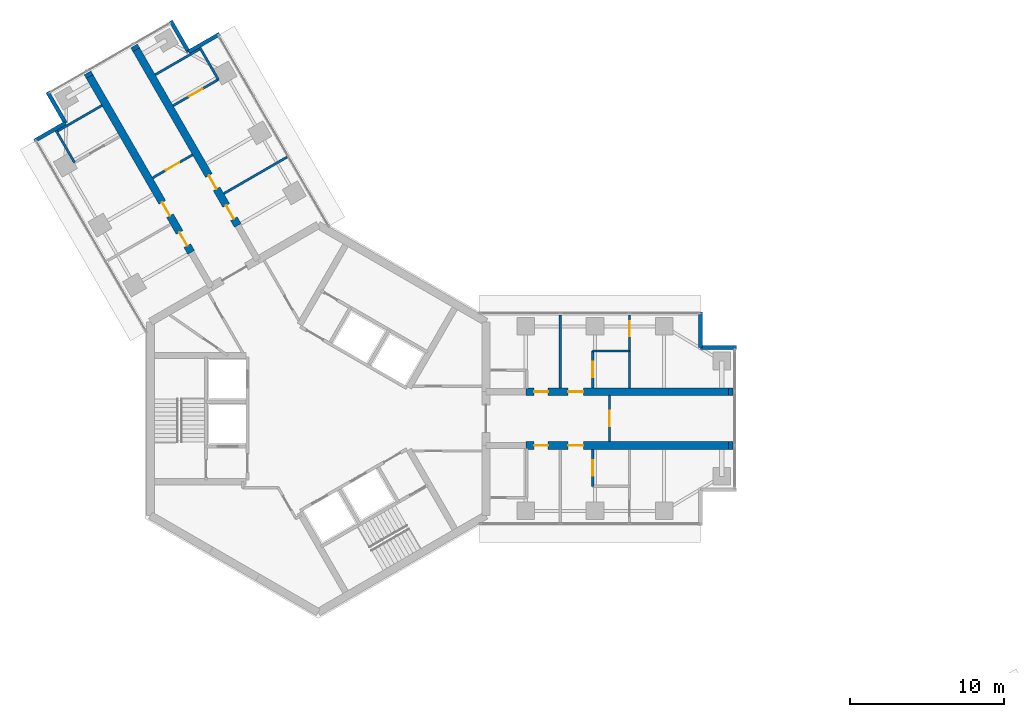
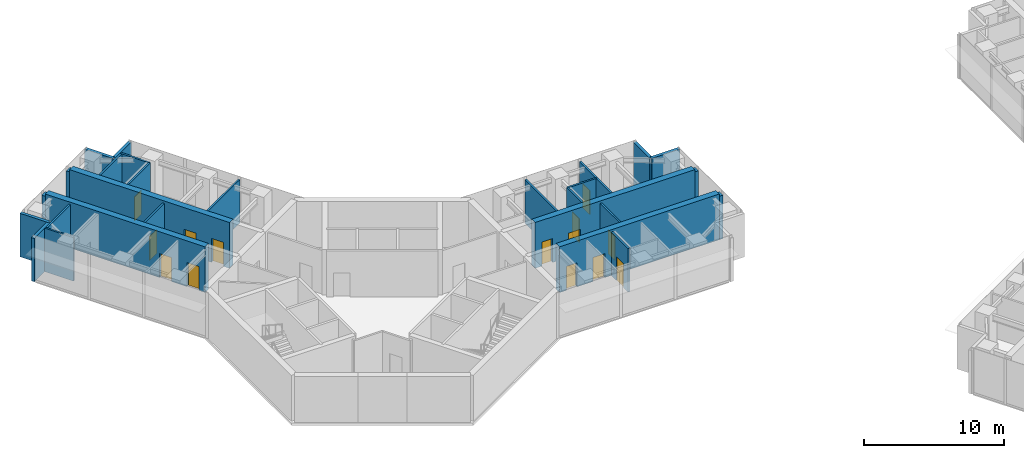
# One storey, part 13 of 17: 27 walls, 14 doors, 14 openings.
"""IFC4 building model written with IfcOpenShell, lengths in metres."""

import ifcopenshell
import ifcopenshell.guid

model = None  # the IFC model being written
_history = None  # IfcOwnerHistory: only IFC2X3 demands one
_inside = {}  # id of a spatial element -> (the spatial element, [elements in it])
_under = {}  # id of a project, library or spatial element -> (it, [spatial elements below it])
_declared = {}  # id of a project -> (the project, [libraries it declares])
_typed = {}  # id of a type object -> (the type object, [elements of that type])
_made_of = {}  # id of a material, layer set ... -> (it, [elements and type objects made of it])


def new_model(schema):
    """Start an empty IFC model of exactly this schema.

    Asked for "IFC4X3", IfcOpenShell would pick the latest addendum, in which some entities
    have other attributes; the version numbers below select the first issue.
    IFC2X3 requires an IfcOwnerHistory on every rooted entity: one is made here for all.
    """
    global model, _history
    if schema == "IFC4X3":
        model = ifcopenshell.file(schema_version=(4, 3, 0, 0))
    else:
        model = ifcopenshell.file(schema=schema)
    _inside.clear()
    _under.clear()
    _declared.clear()
    _typed.clear()
    _made_of.clear()
    _history = None
    if model.schema == "IFC2X3":
        org = make("IfcOrganization", Name="unknown")
        user = make(
            "IfcPersonAndOrganization",
            ThePerson=make("IfcPerson", FamilyName="unknown"),
            TheOrganization=org,
        )
        app = make(
            "IfcApplication",
            ApplicationDeveloper=org,
            Version="unknown",
            ApplicationFullName="unknown",
            ApplicationIdentifier="unknown",
        )
        _history = make(
            "IfcOwnerHistory",
            OwningUser=user,
            OwningApplication=app,
            ChangeAction="ADDED",
            CreationDate=0,
        )
    return model


def make(cls, **values):
    """One entity of the class cls with the attributes given. An attribute that is None is left unset."""
    return model.create_entity(
        cls, **{name: value for name, value in values.items() if value is not None}
    )


def rooted(cls, **values):
    """An entity with a GlobalId (a new one), such as an element, a storey or a relation."""
    return make(cls, GlobalId=ifcopenshell.guid.new(), OwnerHistory=_history, **values)


def si_unit(unit_type, name, prefix=None):
    """IfcSIUnit, for example si_unit("LENGTHUNIT", "METRE", prefix="MILLI")."""
    return make("IfcSIUnit", UnitType=unit_type, Prefix=prefix, Name=name)


def assignment(units):
    """IfcUnitAssignment: the units of a project."""
    return None if units is None else make("IfcUnitAssignment", Units=units)


def point(xyz):
    """IfcCartesianPoint."""
    return None if xyz is None else make("IfcCartesianPoint", Coordinates=xyz)


def direction(xyz):
    """IfcDirection."""
    return None if xyz is None else make("IfcDirection", DirectionRatios=xyz)


def frame(location, z_axis=None, x_axis=None):
    """IfcAxis2Placement3D, a coordinate frame: its origin and axes. An axis left out is left unset."""
    return make(
        "IfcAxis2Placement3D",
        Location=point(location),
        Axis=direction(z_axis),
        RefDirection=direction(x_axis),
    )


def frame_2d(location, x_axis=None):
    """IfcAxis2Placement2D, a coordinate frame in the plane: its origin and x axis."""
    return make(
        "IfcAxis2Placement2D", Location=point(location), RefDirection=direction(x_axis)
    )


def origin():
    """The frame at (0, 0, 0) with its axes left unset."""
    return frame((0.0, 0.0, 0.0))


def place(relative_to, where):
    """IfcLocalPlacement: puts the frame where relative to a parent placement (None: the world)."""
    return make(
        "IfcLocalPlacement", PlacementRelTo=relative_to, RelativePlacement=where
    )


def context(
    kind, dimensions, precision=None, world=None, true_north=None, identifier=None
):
    """IfcGeometricRepresentationContext, for example the 3D "Model" context."""
    return make(
        "IfcGeometricRepresentationContext",
        ContextIdentifier=identifier,
        ContextType=kind,
        CoordinateSpaceDimension=dimensions,
        Precision=precision,
        WorldCoordinateSystem=world,
        TrueNorth=true_north,
    )


def subcontext(parent, identifier, kind, view, scale=None):
    """IfcGeometricRepresentationSubContext, for example "Body" below "Model"."""
    return make(
        "IfcGeometricRepresentationSubContext",
        ContextIdentifier=identifier,
        ContextType=kind,
        ParentContext=parent,
        TargetScale=scale,
        TargetView=view,
    )


def project(units=None, contexts=None):
    """IfcProject with its units and contexts."""
    return rooted(
        "IfcProject",
        Name="project",
        RepresentationContexts=contexts,
        UnitsInContext=assignment(units),
    )


def spatial(cls, under=None, at=None, **own):
    """A site, building, storey or space (cls), placed at a placement, below another one or the project."""
    s = rooted(cls, ObjectPlacement=at, **own)
    if under is not None:
        _under.setdefault(under.id(), (under, []))[1].append(s)
    return s


def profile(cls, at=None, kind="AREA", **sizes):
    """A parametric profile (cls). Its sizes go by their IFC names, for example OverallWidth=200.0."""
    return make(cls, ProfileType=kind, Position=at, **sizes)


def rectangle(**sizes):
    """IfcRectangleProfileDef."""
    return profile("IfcRectangleProfileDef", **sizes)


def extrude(swept, where, along, depth):
    """IfcExtrudedAreaSolid: the profile swept, set in the frame where, extruded along a direction by depth."""
    return make(
        "IfcExtrudedAreaSolid",
        SweptArea=swept,
        Position=where,
        ExtrudedDirection=direction(along),
        Depth=depth,
    )


def shape(context_of_items, identifier, shape_type, items):
    """IfcShapeRepresentation: the items that make up one representation, for example the "Body"."""
    return make(
        "IfcShapeRepresentation",
        ContextOfItems=context_of_items,
        RepresentationIdentifier=identifier,
        RepresentationType=shape_type,
        Items=items,
    )


def material(Name=None, Category=None):
    """IfcMaterial."""
    return make("IfcMaterial", Name=Name, Category=Category)


def layer(
    of_material, thickness, ventilated=None, Name=None, Category=None, Priority=None
):
    """IfcMaterialLayer: one layer of a wall or slab, of a material (None: an air gap)."""
    return make(
        "IfcMaterialLayer",
        Material=of_material,
        LayerThickness=thickness,
        IsVentilated=ventilated,
        Name=Name,
        Category=Category,
        Priority=Priority,
    )


def layer_set(layers, Name=None):
    """IfcMaterialLayerSet."""
    return make("IfcMaterialLayerSet", MaterialLayers=layers, LayerSetName=Name)


def made_of(thing, what):
    """Note that an element or type object is made of a material, layer set ...; save() writes the relation."""
    if what is not None:
        _made_of.setdefault(what.id(), (what, []))[1].append(thing)
    return thing


def type_object(cls, material=None, **own):
    """A type object (cls), such as IfcWallType, which elements share."""
    return made_of(rooted(cls, **own), material)


def element(
    cls,
    number,
    at=None,
    inside=None,
    cuts=None,
    type_object=None,
    material=None,
    context=None,
    identifier="Body",
    shape_type=None,
    held_by="IfcProductDefinitionShape",
    body=None,
    shapes=None,
    **own,
):
    """One element of the class cls, such as IfcWall. Its Tag is "e" and its number.

    at: its placement. inside: the storey or other place that contains it. cuts: it is an
    opening in that element (IfcRelVoidsElement). A single representation is given by context,
    identifier, shape_type and body (its items); several are given by shapes. held_by: the class
    of the entity that holds the representations. save() writes the other relations.
    """
    e = rooted(cls, Tag="e%d" % number, ObjectPlacement=at, **own)
    if body is not None:
        shapes = [shape(context, identifier, shape_type, body)]
    if shapes is not None:
        e.Representation = make(held_by, Representations=shapes)
    if inside is not None:
        _inside.setdefault(inside.id(), (inside, []))[1].append(e)
    if cuts is not None:
        rooted(
            "IfcRelVoidsElement", RelatingBuildingElement=cuts, RelatedOpeningElement=e
        )
    if type_object is not None:
        _typed.setdefault(type_object.id(), (type_object, []))[1].append(e)
    return made_of(e, material)


def fill(opening, filler):
    """IfcRelFillsElement: the door or window that sits in an opening."""
    return rooted(
        "IfcRelFillsElement",
        RelatingOpeningElement=opening,
        RelatedBuildingElement=filler,
    )


def aggregate(whole, parts):
    """IfcRelAggregates: a whole, such as a stair, and the parts it consists of."""
    return rooted("IfcRelAggregates", RelatingObject=whole, RelatedObjects=parts)


def save(model, path):
    """Write the relations noted so far, then the file.

    IfcRelAggregates (storeys below a building ...), IfcRelContainedInSpatialStructure (elements
    in a storey), IfcRelDefinesByType, IfcRelAssociatesMaterial and IfcRelDeclares: one each for
    every whole, place, type object, material and project.
    """
    for whole, parts in _under.values():
        aggregate(whole, parts)
    for where, things in _inside.values():
        rooted(
            "IfcRelContainedInSpatialStructure",
            RelatedElements=things,
            RelatingStructure=where,
        )
    for kind, things in _typed.values():
        rooted("IfcRelDefinesByType", RelatedObjects=things, RelatingType=kind)
    for what, things in _made_of.values():
        rooted("IfcRelAssociatesMaterial", RelatedObjects=things, RelatingMaterial=what)
    for by, libraries in _declared.values():
        rooted("IfcRelDeclares", RelatingContext=by, RelatedDefinitions=libraries)
    model.write(path)


model = new_model("IFC4")

# Units and contexts
model_context = context("Model", 3, precision=1e-05, world=origin(), true_north=direction((0.0, 1.0)))
body_context = subcontext(model_context, "Body", "Model", "MODEL_VIEW")
ifc_project = project(units=[si_unit("LENGTHUNIT", "METRE"), si_unit("AREAUNIT", "SQUARE_METRE"), si_unit("VOLUMEUNIT", "CUBIC_METRE"), si_unit("PLANEANGLEUNIT", "RADIAN"), si_unit("MASSUNIT", "GRAM", prefix="KILO")], contexts=[model_context])

# Site, building, storey
site_placement = place(None, origin())
site = spatial("IfcSite", under=ifc_project, at=site_placement, CompositionType="ELEMENT")
building_placement = place(site_placement, origin())
building = spatial("IfcBuilding", under=site, at=building_placement, Name="Upepo Twin Towers", CompositionType="ELEMENT")
storey_placement = place(building_placement, frame((0.0, 0.0, 210.5)))
storey = spatial("IfcBuildingStorey", under=building, at=storey_placement, Name="L51", CompositionType="ELEMENT", Elevation=210.5)

# Walls
ifc_material_1 = material(Name="Dense concrete blockwork", Category="masonry")
ifc_layer_1 = layer(ifc_material_1, 0.5)
ifc_layer_set_1 = layer_set([ifc_layer_1], Name="Buttress closer 500, blockwork with fire-stopping to the curtain wall")
wall_type_1 = type_object("IfcWallType", Name="Buttress closer 500, blockwork with fire-stopping to the curtain wall", PredefinedType="PARTITIONING", material=ifc_layer_set_1)
for number, where, z_axis, x_axis, name in (
    (1, (26.699951171875, 1.75, 0.0), (0.0, 0.0, 1.0), (1.0, 0.0, 0.0), "T1 L51 wing A buttress closer L"),
    (2, (26.699951171875, -1.75, 0.0), (0.0, 0.0, 1.0), (1.0, 0.0, 0.0), "T1 L51 wing A buttress closer R"),
    (3, (-14.865478515625, 22.247802734375, 0.0), (0.0, 0.0, 1.0), (-0.500065409566, 0.86598763626, 0.0), "T1 L51 wing B buttress closer L"),
    (4, (-11.83447265625, 23.997802734375, 0.0), (0.0, 0.0, 1.0), (-0.500065409566, 0.86598763626, 0.0), "T1 L51 wing B buttress closer R"),
):
    element("IfcWall", number, at=place(storey_placement, frame(where, z_axis=z_axis, x_axis=x_axis)), inside=storey, type_object=wall_type_1, Name=name, PredefinedType="PARTITIONING", context=body_context, shape_type="SweptSolid", body=[
        extrude(rectangle(XDim=0.28759765625, YDim=0.5, at=frame_2d((0.143798828125, 0.0))), origin(), (0.0, 0.0, 1.0), 3.800048828125),
    ])

# Wall, openings, doors
ifc_material_2 = material(Name="Concrete C60/75", Category="concrete")
ifc_layer_2 = layer(ifc_material_2, 0.5)
ifc_layer_set_2 = layer_set([ifc_layer_2], Name="Concrete C60/75")
wall_type_2 = type_object("IfcWallType", Name="Buttress wall 500 RC", PredefinedType="SHEAR", material=ifc_layer_set_2)
wall_1_placement = place(storey_placement, frame((13.5, 1.75, 0.0), z_axis=(0.0, 0.0, 1.0), x_axis=(1.0, 0.0, 0.0)))
wall_1 = element("IfcWall", 5, at=wall_1_placement, inside=storey, type_object=wall_type_2, Name="T1 wing A buttress wall L part 2", PredefinedType="SHEAR", context=body_context, shape_type="SweptSolid", body=[
    extrude(rectangle(XDim=13.199951171875, YDim=0.5, at=frame_2d((6.60009765625, 0.0))), origin(), (0.0, 0.0, 1.0), 4.0),
])
opening_1_placement = place(wall_1_placement, frame((0.550048828125, 0.0, 0.0)))
opening_1 = element("IfcOpeningElement", 6, at=opening_1_placement, cuts=wall_1, Name="Opening D11", PredefinedType="OPENING", context=body_context, shape_type="SweptSolid", body=[
    extrude(rectangle(XDim=0.89990234375, YDim=2.10009765625, at=frame_2d((0.449951171875, 1.050048828125))), frame((0.0, 0.260009765625, 0.0), z_axis=(0.0, -1.0, 0.0), x_axis=(1.0, 0.0, 0.0)), (0.0, 0.0, 1.0), 0.52001953125),
])
opening_2_placement = place(wall_1_placement, frame((2.75, 0.0, 0.0)))
opening_2 = element("IfcOpeningElement", 7, at=opening_2_placement, cuts=wall_1, Name="Opening D1", PredefinedType="OPENING", context=body_context, shape_type="SweptSolid", body=[
    extrude(rectangle(XDim=1.0, YDim=2.10009765625, at=frame_2d((0.5, 1.050048828125))), frame((0.0, 0.260009765625, 0.0), z_axis=(0.0, -1.0, 0.0), x_axis=(1.0, 0.0, 0.0)), (0.0, 0.0, 1.0), 0.52001953125),
])
ifc_material_3 = material(Name="Timber doorset", Category="wood")
door_type_1 = type_object("IfcDoorType", Name="Room door 1000 FD30", OperationType="SINGLE_SWING_LEFT", PredefinedType="DOOR", material=ifc_material_3)
door_1_placement = place(opening_2_placement, origin())
door_1 = element("IfcDoor", 8, at=door_1_placement, inside=storey, type_object=door_type_1, Name="T1 L51 seminar room door", OperationType="SINGLE_SWING_LEFT", OverallHeight=2.10009765625, OverallWidth=1.0, PredefinedType="DOOR", context=body_context, shape_type="SweptSolid", body=[
    extrude(rectangle(XDim=1.0, YDim=2.10009765625, at=frame_2d((0.5, 1.050048828125))), frame((0.0, 0.02490234375, 0.0), z_axis=(0.0, -1.0, 0.0), x_axis=(1.0, 0.0, 0.0)), (0.0, 0.0, 1.0), 0.050048828125),
])
fill(opening_2, door_1)
ifc_material_4 = material(Name="Timber doorset", Category="wood")
door_type_2 = type_object("IfcDoorType", Name="Toilet door 900", OperationType="SINGLE_SWING_LEFT", PredefinedType="DOOR", material=ifc_material_4)
door_2_placement = place(opening_1_placement, origin())
door_2 = element("IfcDoor", 9, at=door_2_placement, inside=storey, type_object=door_type_2, Name="T1 L51 toilets door", OperationType="SINGLE_SWING_LEFT", OverallHeight=2.10009765625, OverallWidth=0.89990234375, PredefinedType="DOOR", context=body_context, shape_type="SweptSolid", body=[
    extrude(rectangle(XDim=0.89990234375, YDim=2.10009765625, at=frame_2d((0.449951171875, 1.050048828125))), frame((0.0, 0.02490234375, 0.0), z_axis=(0.0, -1.0, 0.0), x_axis=(1.0, 0.0, 0.0)), (0.0, 0.0, 1.0), 0.050048828125),
])
fill(opening_1, door_2)

wall_2_placement = place(storey_placement, frame((13.5, -1.75, 0.0), z_axis=(0.0, 0.0, 1.0), x_axis=(1.0, 0.0, 0.0)))
wall_2 = element("IfcWall", 10, at=wall_2_placement, inside=storey, type_object=wall_type_2, Name="T1 wing A buttress wall R part 2", PredefinedType="SHEAR", context=body_context, shape_type="SweptSolid", body=[
    extrude(rectangle(XDim=13.199951171875, YDim=0.5, at=frame_2d((6.60009765625, 0.0))), origin(), (0.0, 0.0, 1.0), 4.0),
])
opening_3_placement = place(wall_2_placement, frame((0.550048828125, 0.0, 0.0)))
opening_3 = element("IfcOpeningElement", 11, at=opening_3_placement, cuts=wall_2, Name="Opening D11", PredefinedType="OPENING", context=body_context, shape_type="SweptSolid", body=[
    extrude(rectangle(XDim=0.89990234375, YDim=2.10009765625, at=frame_2d((0.449951171875, 1.050048828125))), frame((0.0, 0.260009765625, 0.0), z_axis=(0.0, -1.0, 0.0), x_axis=(1.0, 0.0, 0.0)), (0.0, 0.0, 1.0), 0.52001953125),
])
opening_4_placement = place(wall_2_placement, frame((2.75, 0.0, 0.0)))
opening_4 = element("IfcOpeningElement", 12, at=opening_4_placement, cuts=wall_2, Name="Opening D1", PredefinedType="OPENING", context=body_context, shape_type="SweptSolid", body=[
    extrude(rectangle(XDim=1.0, YDim=2.10009765625, at=frame_2d((0.5, 1.050048828125))), frame((0.0, 0.260009765625, 0.0), z_axis=(0.0, -1.0, 0.0), x_axis=(1.0, 0.0, 0.0)), (0.0, 0.0, 1.0), 0.52001953125),
])
door_3_placement = place(opening_4_placement, origin())
door_3 = element("IfcDoor", 13, at=door_3_placement, inside=storey, type_object=door_type_1, Name="T1 L51 tutorial room door", OperationType="SINGLE_SWING_LEFT", OverallHeight=2.10009765625, OverallWidth=1.0, PredefinedType="DOOR", context=body_context, shape_type="SweptSolid", body=[
    extrude(rectangle(XDim=1.0, YDim=2.10009765625, at=frame_2d((0.5, 1.050048828125))), frame((0.0, 0.02490234375, 0.0), z_axis=(0.0, -1.0, 0.0), x_axis=(1.0, 0.0, 0.0)), (0.0, 0.0, 1.0), 0.050048828125),
])
fill(opening_4, door_3)
door_4_placement = place(opening_3_placement, origin())
door_4 = element("IfcDoor", 14, at=door_4_placement, inside=storey, type_object=door_type_2, Name="T1 L51 accessible wc door", OperationType="SINGLE_SWING_LEFT", OverallHeight=2.10009765625, OverallWidth=0.89990234375, PredefinedType="DOOR", context=body_context, shape_type="SweptSolid", body=[
    extrude(rectangle(XDim=0.89990234375, YDim=2.10009765625, at=frame_2d((0.449951171875, 1.050048828125))), frame((0.0, 0.02490234375, 0.0), z_axis=(0.0, -1.0, 0.0), x_axis=(1.0, 0.0, 0.0)), (0.0, 0.0, 1.0), 0.050048828125),
])
fill(opening_3, door_4)

wall_3_placement = place(storey_placement, frame((-8.265625, 10.81640625, 0.0), z_axis=(0.0, 0.0, 1.0), x_axis=(-0.499996231654, 0.866027579429, 0.0)))
wall_3 = element("IfcWall", 15, at=wall_3_placement, inside=storey, type_object=wall_type_2, Name="T1 wing B buttress wall L part 2", PredefinedType="SHEAR", context=body_context, shape_type="SweptSolid", body=[
    extrude(rectangle(XDim=13.19970703125, YDim=0.5, at=frame_2d((6.599853515625, 0.0))), origin(), (0.0, 0.0, 1.0), 4.0),
])
opening_5_placement = place(wall_3_placement, frame((0.5, 0.0, 0.0)))
opening_5 = element("IfcOpeningElement", 16, at=opening_5_placement, cuts=wall_3, Name="Opening D1", PredefinedType="OPENING", context=body_context, shape_type="SweptSolid", body=[
    extrude(rectangle(XDim=1.0, YDim=2.10009765625, at=frame_2d((0.5, 1.050048828125))), frame((0.0, 0.260009765625, 0.0), z_axis=(0.0, -1.0, 0.0), x_axis=(1.0, 0.0, 0.0)), (0.0, 0.0, 1.0), 0.52001953125),
])
opening_6_placement = place(wall_3_placement, frame((2.75, 0.0, 0.0)))
opening_6 = element("IfcOpeningElement", 17, at=opening_6_placement, cuts=wall_3, Name="Opening D1", PredefinedType="OPENING", context=body_context, shape_type="SweptSolid", body=[
    extrude(rectangle(XDim=1.0, YDim=2.10009765625, at=frame_2d((0.5, 1.050048828125))), frame((0.0, 0.260009765625, 0.0), z_axis=(0.0, -1.0, 0.0), x_axis=(1.0, 0.0, 0.0)), (0.0, 0.0, 1.0), 0.52001953125),
])
door_5_placement = place(opening_5_placement, origin())
door_5 = element("IfcDoor", 18, at=door_5_placement, inside=storey, type_object=door_type_1, Name="T1 L51 seminar room door", OperationType="SINGLE_SWING_LEFT", OverallHeight=2.10009765625, OverallWidth=1.0, PredefinedType="DOOR", context=body_context, shape_type="SweptSolid", body=[
    extrude(rectangle(XDim=1.0, YDim=2.10009765625, at=frame_2d((0.5, 1.050048828125))), frame((0.0, 0.02490234375, 0.0), z_axis=(0.0, -1.0, 0.0), x_axis=(1.0, 0.0, 0.0)), (0.0, 0.0, 1.0), 0.050048828125),
])
fill(opening_5, door_5)
door_6_placement = place(opening_6_placement, origin())
door_6 = element("IfcDoor", 19, at=door_6_placement, inside=storey, type_object=door_type_1, Name="T1 L51 engineering studio door", OperationType="SINGLE_SWING_LEFT", OverallHeight=2.10009765625, OverallWidth=1.0, PredefinedType="DOOR", context=body_context, shape_type="SweptSolid", body=[
    extrude(rectangle(XDim=1.0, YDim=2.10009765625, at=frame_2d((0.5, 1.050048828125))), frame((0.0, 0.02490234375, 0.0), z_axis=(0.0, -1.0, 0.0), x_axis=(1.0, 0.0, 0.0)), (0.0, 0.0, 1.0), 0.050048828125),
])
fill(opening_6, door_6)

wall_4_placement = place(storey_placement, frame((-5.234375, 12.56640625, 0.0), z_axis=(0.0, 0.0, 1.0), x_axis=(-0.500010103361, 0.866019570528, 0.0)))
wall_4 = element("IfcWall", 20, at=wall_4_placement, inside=storey, type_object=wall_type_2, Name="T1 wing B buttress wall R part 2", PredefinedType="SHEAR", context=body_context, shape_type="SweptSolid", body=[
    extrude(rectangle(XDim=13.199951171875, YDim=0.5, at=frame_2d((6.60009765625, 0.0))), origin(), (0.0, 0.0, 1.0), 4.0),
])
opening_7_placement = place(wall_4_placement, frame((0.5, 0.0, 0.0)))
opening_7 = element("IfcOpeningElement", 21, at=opening_7_placement, cuts=wall_4, Name="Opening D1", PredefinedType="OPENING", context=body_context, shape_type="SweptSolid", body=[
    extrude(rectangle(XDim=1.0, YDim=2.10009765625, at=frame_2d((0.5, 1.050048828125))), frame((0.0, 0.260009765625, 0.0), z_axis=(0.0, -1.0, 0.0), x_axis=(1.0, 0.0, 0.0)), (0.0, 0.0, 1.0), 0.52001953125),
])
opening_8_placement = place(wall_4_placement, frame((2.75, 0.0, 0.0)))
opening_8 = element("IfcOpeningElement", 22, at=opening_8_placement, cuts=wall_4, Name="Opening D1", PredefinedType="OPENING", context=body_context, shape_type="SweptSolid", body=[
    extrude(rectangle(XDim=1.0, YDim=2.10009765625, at=frame_2d((0.5, 1.050048828125))), frame((0.0, 0.260009765625, 0.0), z_axis=(0.0, -1.0, 0.0), x_axis=(1.0, 0.0, 0.0)), (0.0, 0.0, 1.0), 0.52001953125),
])
door_7_placement = place(opening_7_placement, origin())
door_7 = element("IfcDoor", 23, at=door_7_placement, inside=storey, type_object=door_type_1, Name="T1 L51 staff office door", OperationType="SINGLE_SWING_LEFT", OverallHeight=2.10009765625, OverallWidth=1.0, PredefinedType="DOOR", context=body_context, shape_type="SweptSolid", body=[
    extrude(rectangle(XDim=1.0, YDim=2.10009765625, at=frame_2d((0.5, 1.050048828125))), frame((0.0, 0.02490234375, 0.0), z_axis=(0.0, -1.0, 0.0), x_axis=(1.0, 0.0, 0.0)), (0.0, 0.0, 1.0), 0.050048828125),
])
fill(opening_7, door_7)
door_8_placement = place(opening_8_placement, origin())
door_8 = element("IfcDoor", 24, at=door_8_placement, inside=storey, type_object=door_type_1, Name="T1 L51 engineering studio door", OperationType="SINGLE_SWING_LEFT", OverallHeight=2.10009765625, OverallWidth=1.0, PredefinedType="DOOR", context=body_context, shape_type="SweptSolid", body=[
    extrude(rectangle(XDim=1.0, YDim=2.10009765625, at=frame_2d((0.5, 1.050048828125))), frame((0.0, 0.02490234375, 0.0), z_axis=(0.0, -1.0, 0.0), x_axis=(1.0, 0.0, 0.0)), (0.0, 0.0, 1.0), 0.050048828125),
])
fill(opening_8, door_8)

# Walls
ifc_material_5 = material(Name="Blockwork with anodised aluminium cladding", Category="masonry")
ifc_layer_3 = layer(ifc_material_5, 0.25)
ifc_layer_set_3 = layer_set([ifc_layer_3], Name="Notch cladding wall 250, pale metal")
wall_type_3 = type_object("IfcWallType", Name="Notch cladding wall 250, pale metal", PredefinedType="STANDARD", material=ifc_layer_set_3)
for number, where, z_axis, x_axis, name in (
    (25, (24.875, 6.949951171875, 0.0), (0.0, 0.0, 1.0), (0.0, -1.0, 0.0), "T1 L51 wing A notch wall L1"),
    (26, (24.875, 4.625, 0.0), (0.0, 0.0, 1.0), (1.0, 0.0, 0.0), "T1 L51 wing A notch wall L2"),
    (27, (-18.456298828125, 18.0673828125, 0.0), (0.0, 0.0, 1.0), (0.865998469481, 0.500046648681, 0.0), "T1 L51 wing B notch wall L1"),
    (28, (-16.44287109375, 19.22998046875, 0.0), (0.0, 0.0, 1.0), (-0.500046648681, 0.865998469481, 0.0), "T1 L51 wing B notch wall L2"),
    (29, (-6.418701171875, 25.017333984375, 0.0), (0.0, 0.0, 1.0), (-0.866043940782, -0.499967891604, 0.0), "T1 L51 wing B notch wall R1"),
    (30, (-8.43212890625, 23.85498046875, 0.0), (0.0, 0.0, 1.0), (-0.500046648681, 0.865998469481, 0.0), "T1 L51 wing B notch wall R2"),
):
    element("IfcWall", number, at=place(storey_placement, frame(where, z_axis=z_axis, x_axis=x_axis)), inside=storey, type_object=wall_type_3, Name=name, PredefinedType="STANDARD", context=body_context, shape_type="SweptSolid", body=[
        extrude(rectangle(XDim=2.324951171875, YDim=0.25, at=frame_2d((1.16259765625, 0.0))), origin(), (0.0, 0.0, 1.0), 3.800048828125),
    ])
ifc_material_6 = material(Name="Gypsum board on steel studs", Category="steel")
ifc_layer_4 = layer(ifc_material_6, 0.14990234375)
ifc_layer_set_4 = layer_set([ifc_layer_4], Name="Teaching partition 150 acoustic")
wall_type_4 = type_object("IfcWallType", Name="Teaching partition 150 acoustic", PredefinedType="PARTITIONING", material=ifc_layer_set_4)
wall_5_placement = place(storey_placement, frame((15.75, 2.0, 0.0), z_axis=(0.0, 0.0, 1.0), x_axis=(0.0, 1.0, 0.0)))
element("IfcWall", 31, at=wall_5_placement, inside=storey, type_object=wall_type_4, Name="T1 partition AL at 15.75", PredefinedType="PARTITIONING", context=body_context, shape_type="SweptSolid", body=[
    extrude(rectangle(XDim=4.75, YDim=0.14990234375, at=frame_2d((2.375, 0.0))), origin(), (0.0, 0.0, 1.0), 3.800048828125),
])

# Wall, opening, door
wall_6_placement = place(storey_placement, frame((20.25, 2.0, 0.0), z_axis=(0.0, 0.0, 1.0), x_axis=(0.0, 1.0, 0.0)))
wall_6 = element("IfcWall", 32, at=wall_6_placement, inside=storey, type_object=wall_type_4, Name="T1 partition AL at 20.25", PredefinedType="PARTITIONING", context=body_context, shape_type="SweptSolid", body=[
    extrude(rectangle(XDim=4.75, YDim=0.14990234375, at=frame_2d((2.375, 0.0))), origin(), (0.0, 0.0, 1.0), 3.800048828125),
])
opening_9_placement = place(wall_6_placement, frame((3.35009765625, 0.0, 0.0)))
opening_9 = element("IfcOpeningElement", 33, at=opening_9_placement, cuts=wall_6, Name="Opening D1", PredefinedType="OPENING", context=body_context, shape_type="SweptSolid", body=[
    extrude(rectangle(XDim=1.0, YDim=2.10009765625, at=frame_2d((0.5, 1.050048828125))), frame((0.0, 0.0849609375, 0.0), z_axis=(0.0, -1.0, 0.0), x_axis=(1.0, 0.0, 0.0)), (0.0, 0.0, 1.0), 0.169921875),
])
door_9_placement = place(opening_9_placement, origin())
door_9 = element("IfcDoor", 34, at=door_9_placement, inside=storey, type_object=door_type_1, Name="T1 L51 connecting door", OperationType="SINGLE_SWING_RIGHT", OverallHeight=2.10009765625, OverallWidth=1.0, PredefinedType="DOOR", context=body_context, shape_type="SweptSolid", body=[
    extrude(rectangle(XDim=1.0, YDim=2.10009765625, at=frame_2d((0.5, 1.050048828125))), frame((0.0, 0.02490234375, 0.0), z_axis=(0.0, -1.0, 0.0), x_axis=(1.0, 0.0, 0.0)), (0.0, 0.0, 1.0), 0.050048828125),
])
fill(opening_9, door_9)

# Wall
wall_7_placement = place(storey_placement, frame((17.85009765625, 4.39990234375, 0.0), z_axis=(0.0, 0.0, 1.0), x_axis=(1.0, 0.0, 0.0)))
element("IfcWall", 35, at=wall_7_placement, inside=storey, type_object=wall_type_4, Name="T1 inner room partition AL at 17.85", PredefinedType="PARTITIONING", context=body_context, shape_type="SweptSolid", body=[
    extrude(rectangle(XDim=2.39990234375, YDim=0.14990234375, at=frame_2d((1.199951171875, 0.0))), origin(), (0.0, 0.0, 1.0), 3.800048828125),
])

# Wall, opening, door
wall_8_placement = place(storey_placement, frame((17.85009765625, 2.0, 0.0), z_axis=(0.0, 0.0, 1.0), x_axis=(0.0, 1.0, 0.0)))
wall_8 = element("IfcWall", 36, at=wall_8_placement, inside=storey, type_object=wall_type_4, Name="T1 inner room partition AL end at 17.85", PredefinedType="PARTITIONING", context=body_context, shape_type="SweptSolid", body=[
    extrude(rectangle(XDim=2.39990234375, YDim=0.14990234375, at=frame_2d((1.199951171875, 0.0))), origin(), (0.0, 0.0, 1.0), 3.800048828125),
])
opening_10_placement = place(wall_8_placement, frame((0.699951171875, 0.0, 0.0)))
opening_10 = element("IfcOpeningElement", 37, at=opening_10_placement, cuts=wall_8, Name="Opening D1", PredefinedType="OPENING", context=body_context, shape_type="SweptSolid", body=[
    extrude(rectangle(XDim=1.0, YDim=2.10009765625, at=frame_2d((0.5, 1.050048828125))), frame((0.0, 0.0849609375, 0.0), z_axis=(0.0, -1.0, 0.0), x_axis=(1.0, 0.0, 0.0)), (0.0, 0.0, 1.0), 0.169921875),
])
door_10_placement = place(opening_10_placement, origin())
door_10 = element("IfcDoor", 38, at=door_10_placement, inside=storey, type_object=door_type_1, Name="T1 L51 inner room door", OperationType="SINGLE_SWING_LEFT", OverallHeight=2.10009765625, OverallWidth=1.0, PredefinedType="DOOR", context=body_context, shape_type="SweptSolid", body=[
    extrude(rectangle(XDim=1.0, YDim=2.10009765625, at=frame_2d((0.5, 1.050048828125))), frame((0.0, 0.02490234375, 0.0), z_axis=(0.0, -1.0, 0.0), x_axis=(1.0, 0.0, 0.0)), (0.0, 0.0, 1.0), 0.050048828125),
])
fill(opening_10, door_10)

wall_9_placement = place(storey_placement, frame((17.85009765625, -2.0, 0.0), z_axis=(0.0, 0.0, 1.0), x_axis=(0.0, -1.0, 0.0)))
wall_9 = element("IfcWall", 39, at=wall_9_placement, inside=storey, type_object=wall_type_4, Name="T1 inner room partition AR end at 17.85", PredefinedType="PARTITIONING", context=body_context, shape_type="SweptSolid", body=[
    extrude(rectangle(XDim=2.39990234375, YDim=0.14990234375, at=frame_2d((1.199951171875, 0.0))), origin(), (0.0, 0.0, 1.0), 3.800048828125),
])
opening_11_placement = place(wall_9_placement, frame((0.699951171875, 0.0, 0.0)))
opening_11 = element("IfcOpeningElement", 40, at=opening_11_placement, cuts=wall_9, Name="Opening D1", PredefinedType="OPENING", context=body_context, shape_type="SweptSolid", body=[
    extrude(rectangle(XDim=1.0, YDim=2.10009765625, at=frame_2d((0.5, 1.050048828125))), frame((0.0, 0.0849609375, 0.0), z_axis=(0.0, -1.0, 0.0), x_axis=(1.0, 0.0, 0.0)), (0.0, 0.0, 1.0), 0.169921875),
])
door_11_placement = place(opening_11_placement, origin())
door_11 = element("IfcDoor", 41, at=door_11_placement, inside=storey, type_object=door_type_1, Name="T1 L51 inner room door", OperationType="SINGLE_SWING_LEFT", OverallHeight=2.10009765625, OverallWidth=1.0, PredefinedType="DOOR", context=body_context, shape_type="SweptSolid", body=[
    extrude(rectangle(XDim=1.0, YDim=2.10009765625, at=frame_2d((0.5, 1.050048828125))), frame((0.0, 0.02490234375, 0.0), z_axis=(0.0, -1.0, 0.0), x_axis=(1.0, 0.0, 0.0)), (0.0, 0.0, 1.0), 0.050048828125),
])
fill(opening_11, door_11)

# Walls
wall_10_placement = place(storey_placement, frame((-15.8515625, 16.65576171875, 0.0), z_axis=(0.0, 0.0, 1.0), x_axis=(-0.500001309137, 0.866024647952, 0.0)))
element("IfcWall", 42, at=wall_10_placement, inside=storey, type_object=wall_type_4, Name="T1 inner room partition BL at 22.35", PredefinedType="PARTITIONING", context=body_context, shape_type="SweptSolid", body=[
    extrude(rectangle(XDim=2.39990234375, YDim=0.14990234375, at=frame_2d((1.199951171875, 0.0))), origin(), (0.0, 0.0, 1.0), 3.800048828125),
])
wall_11_placement = place(storey_placement, frame((-14.069580078125, 20.369140625, 0.0), z_axis=(0.0, 0.0, 1.0), x_axis=(-0.866020560687, -0.500008388397, 0.0)))
element("IfcWall", 43, at=wall_11_placement, inside=storey, type_object=wall_type_4, Name="T1 inner room partition BL end at 24.75", PredefinedType="PARTITIONING", context=body_context, shape_type="SweptSolid", body=[
    extrude(rectangle(XDim=3.39990234375, YDim=0.14990234375, at=frame_2d((1.699951171875, 0.0))), origin(), (0.0, 0.0, 1.0), 3.800048828125),
])
wall_12_placement = place(storey_placement, frame((-6.14306640625, 14.639892578125, 0.0), z_axis=(0.0, 0.0, 1.0), x_axis=(0.866033238375, 0.499986429846, 0.0)))
element("IfcWall", 44, at=wall_12_placement, inside=storey, type_object=wall_type_4, Name="T1 partition BR at 15.75", PredefinedType="PARTITIONING", context=body_context, shape_type="SweptSolid", body=[
    extrude(rectangle(XDim=4.750244140625, YDim=0.14990234375, at=frame_2d((2.375, 0.0))), origin(), (0.0, 0.0, 1.0), 3.800048828125),
])
wall_13_placement = place(storey_placement, frame((-6.49853515625, 22.0556640625, 0.0), z_axis=(0.0, 0.0, 1.0), x_axis=(-0.500001309137, 0.866024647952, 0.0)))
element("IfcWall", 45, at=wall_13_placement, inside=storey, type_object=wall_type_4, Name="T1 inner room partition BR at 22.35", PredefinedType="PARTITIONING", context=body_context, shape_type="SweptSolid", body=[
    extrude(rectangle(XDim=2.39990234375, YDim=0.14990234375, at=frame_2d((1.199951171875, 0.0))), origin(), (0.0, 0.0, 1.0), 3.800048828125),
])

# Wall, opening, door
wall_14_placement = place(storey_placement, frame((-9.44287109375, 20.355712890625, 0.0), z_axis=(0.0, 0.0, 1.0), x_axis=(0.866020560687, 0.500008388397, 0.0)))
wall_14 = element("IfcWall", 46, at=wall_14_placement, inside=storey, type_object=wall_type_4, Name="T1 inner room partition BR end at 22.35", PredefinedType="PARTITIONING", context=body_context, shape_type="SweptSolid", body=[
    extrude(rectangle(XDim=3.39990234375, YDim=0.14990234375, at=frame_2d((1.699951171875, 0.0))), origin(), (0.0, 0.0, 1.0), 3.800048828125),
])
opening_12_placement = place(wall_14_placement, frame((1.199951171875, 0.0, 0.0)))
opening_12 = element("IfcOpeningElement", 47, at=opening_12_placement, cuts=wall_14, Name="Opening D1", PredefinedType="OPENING", context=body_context, shape_type="SweptSolid", body=[
    extrude(rectangle(XDim=1.0, YDim=2.10009765625, at=frame_2d((0.5, 1.050048828125))), frame((0.0, 0.0849609375, 0.0), z_axis=(0.0, -1.0, 0.0), x_axis=(1.0, 0.0, 0.0)), (0.0, 0.0, 1.0), 0.169921875),
])
door_12_placement = place(opening_12_placement, origin())
door_12 = element("IfcDoor", 48, at=door_12_placement, inside=storey, type_object=door_type_1, Name="T1 L51 inner room door", OperationType="SINGLE_SWING_LEFT", OverallHeight=2.10009765625, OverallWidth=1.0, PredefinedType="DOOR", context=body_context, shape_type="SweptSolid", body=[
    extrude(rectangle(XDim=1.0, YDim=2.10009765625, at=frame_2d((0.5, 1.050048828125))), frame((0.0, 0.02490234375, 0.0), z_axis=(0.0, -1.0, 0.0), x_axis=(1.0, 0.0, 0.0)), (0.0, 0.0, 1.0), 0.050048828125),
])
fill(opening_12, door_12)

# Wall
wall_15_placement = place(storey_placement, frame((-10.60546875, 22.369140625, 0.0), z_axis=(0.0, 0.0, 1.0), x_axis=(0.866038511948, 0.499977295307, 0.0)))
element("IfcWall", 49, at=wall_15_placement, inside=storey, type_object=wall_type_4, Name="T1 inner room partition BR end at 24.75", PredefinedType="PARTITIONING", context=body_context, shape_type="SweptSolid", body=[
    extrude(rectangle(XDim=3.400146484375, YDim=0.14990234375, at=frame_2d((1.7001953125, 0.0))), origin(), (0.0, 0.0, 1.0), 3.800048828125),
])

# Wall, opening, door
wall_16_placement = place(storey_placement, frame((18.949951171875, -1.5, 0.0), z_axis=(0.0, 0.0, 1.0), x_axis=(0.0, 1.0, 0.0)))
wall_16 = element("IfcWall", 50, at=wall_16_placement, inside=storey, type_object=wall_type_4, Name="T1 corridor end partition A at 18.95", PredefinedType="PARTITIONING", context=body_context, shape_type="SweptSolid", body=[
    extrude(rectangle(XDim=3.0, YDim=0.14990234375, at=frame_2d((1.5, 0.0))), origin(), (0.0, 0.0, 1.0), 3.800048828125),
])
opening_13_placement = place(wall_16_placement, frame((1.0, 0.0, 0.0)))
opening_13 = element("IfcOpeningElement", 51, at=opening_13_placement, cuts=wall_16, Name="Opening D1", PredefinedType="OPENING", context=body_context, shape_type="SweptSolid", body=[
    extrude(rectangle(XDim=1.0, YDim=2.10009765625, at=frame_2d((0.5, 1.050048828125))), frame((0.0, 0.0849609375, 0.0), z_axis=(0.0, -1.0, 0.0), x_axis=(1.0, 0.0, 0.0)), (0.0, 0.0, 1.0), 0.169921875),
])
door_13_placement = place(opening_13_placement, origin())
door_13 = element("IfcDoor", 52, at=door_13_placement, inside=storey, type_object=door_type_1, Name="T1 L51 breakout study room door", OperationType="SINGLE_SWING_LEFT", OverallHeight=2.10009765625, OverallWidth=1.0, PredefinedType="DOOR", context=body_context, shape_type="SweptSolid", body=[
    extrude(rectangle(XDim=1.0, YDim=2.10009765625, at=frame_2d((0.5, 1.050048828125))), frame((0.0, 0.02490234375, 0.0), z_axis=(0.0, -1.0, 0.0), x_axis=(1.0, 0.0, 0.0)), (0.0, 0.0, 1.0), 0.050048828125),
])
fill(opening_13, door_13)

wall_17_placement = place(storey_placement, frame((-8.176025390625, 17.1611328125, 0.0), z_axis=(0.0, 0.0, 1.0), x_axis=(-0.866010750942, -0.50002537861, 0.0)))
wall_17 = element("IfcWall", 53, at=wall_17_placement, inside=storey, type_object=wall_type_4, Name="T1 corridor end partition B at 18.95", PredefinedType="PARTITIONING", context=body_context, shape_type="SweptSolid", body=[
    extrude(rectangle(XDim=2.999755859375, YDim=0.14990234375, at=frame_2d((1.5, 0.0))), origin(), (0.0, 0.0, 1.0), 3.800048828125),
])
opening_14_placement = place(wall_17_placement, frame((1.0, 0.0, 0.0)))
opening_14 = element("IfcOpeningElement", 54, at=opening_14_placement, cuts=wall_17, Name="Opening D1", PredefinedType="OPENING", context=body_context, shape_type="SweptSolid", body=[
    extrude(rectangle(XDim=1.0, YDim=2.10009765625, at=frame_2d((0.5, 1.050048828125))), frame((0.0, 0.0849609375, 0.0), z_axis=(0.0, -1.0, 0.0), x_axis=(1.0, 0.0, 0.0)), (0.0, 0.0, 1.0), 0.169921875),
])
door_14_placement = place(opening_14_placement, origin())
door_14 = element("IfcDoor", 55, at=door_14_placement, inside=storey, type_object=door_type_1, Name="T1 L51 breakout study room door", OperationType="SINGLE_SWING_RIGHT", OverallHeight=2.10009765625, OverallWidth=1.0, PredefinedType="DOOR", context=body_context, shape_type="SweptSolid", body=[
    extrude(rectangle(XDim=1.0, YDim=2.10009765625, at=frame_2d((0.5, 1.050048828125))), frame((0.0, 0.02490234375, 0.0), z_axis=(0.0, -1.0, 0.0), x_axis=(1.0, 0.0, 0.0)), (0.0, 0.0, 1.0), 0.050048828125),
])
fill(opening_14, door_14)

save(model, "model.ifc")
